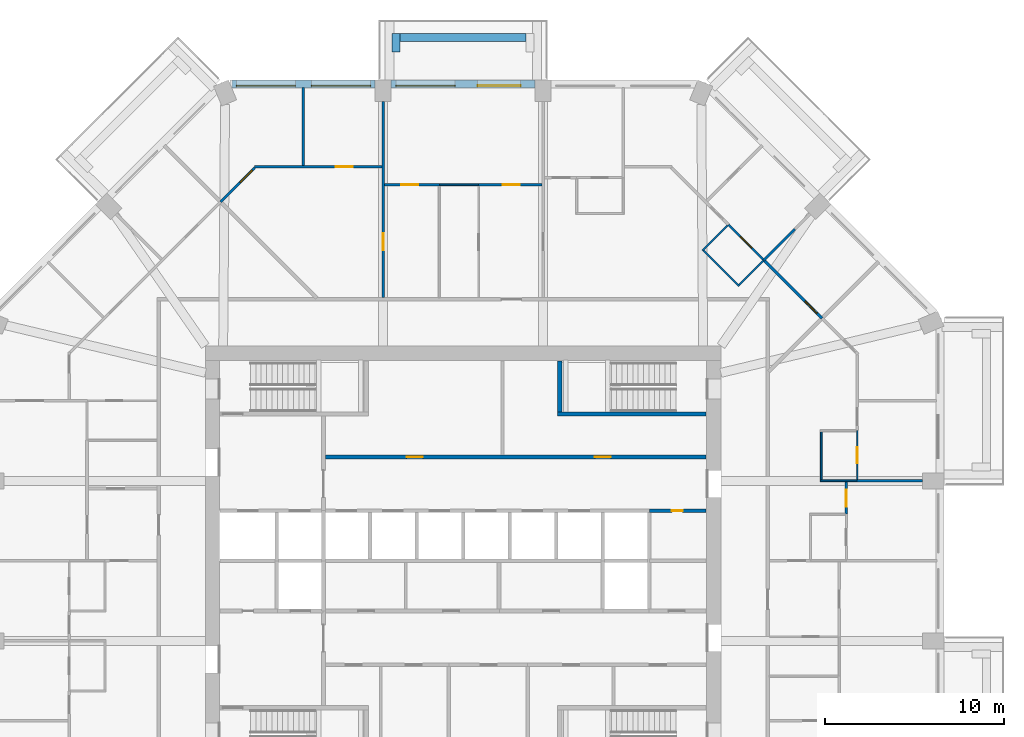
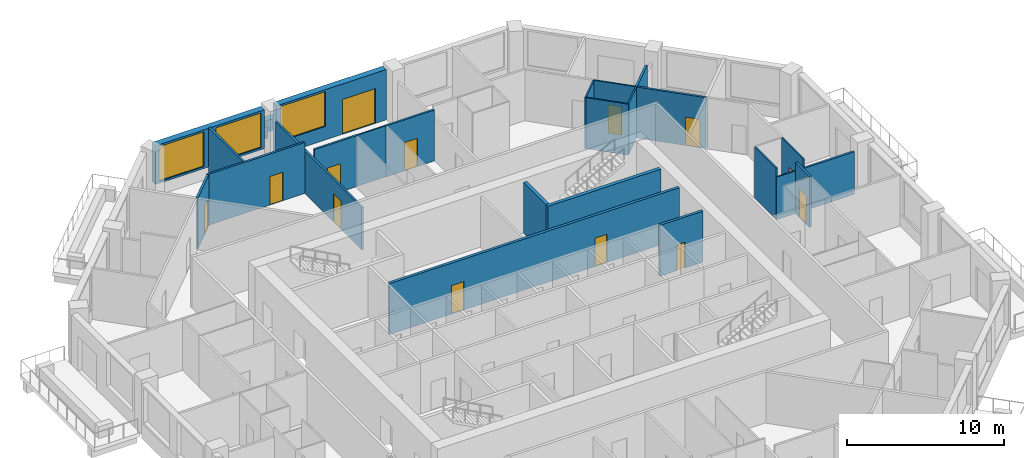
# One storey, part 9 of 13: 26 walls, 13 doors, 3 windows, 16 openings.
"""IFC4 building model written with IfcOpenShell, lengths in metres."""

from ifc_helpers import new_model, si_unit, direction, frame, frame_2d, origin, place, context, subcontext, project, spatial, rectangle, extrude, material, layer, layer_set, type_object, element, fill, save


model = new_model("IFC4")

# Units and contexts
model_context = context("Model", 3, precision=1e-05, world=origin(), true_north=direction((0.0, 1.0)))
body_context = subcontext(model_context, "Body", "Model", "MODEL_VIEW")
ifc_project = project(units=[si_unit("LENGTHUNIT", "METRE"), si_unit("AREAUNIT", "SQUARE_METRE"), si_unit("VOLUMEUNIT", "CUBIC_METRE"), si_unit("PLANEANGLEUNIT", "RADIAN"), si_unit("MASSUNIT", "GRAM", prefix="KILO")], contexts=[model_context])

# Site, building, storey
site_placement = place(None, origin())
site = spatial("IfcSite", under=ifc_project, at=site_placement, CompositionType="ELEMENT")
building_placement = place(site_placement, origin())
building = spatial("IfcBuilding", under=site, at=building_placement, Name="Msitu Wima Residences", CompositionType="ELEMENT")
storey_placement = place(building_placement, frame((0.0, 0.0, 135.89990234375)))
storey = spatial("IfcBuildingStorey", under=building, at=storey_placement, Name="L31", CompositionType="ELEMENT", Elevation=135.89990234375)

# Walls
ifc_material_1 = material(Name="Facing brick")
ifc_layer_1 = layer(ifc_material_1, 0.06494140625, Name="Facing brick")
ifc_material_2 = material(Name="Concrete C40/50", Category="concrete")
ifc_layer_2 = layer(ifc_material_2, 0.156005859375, Name="Concrete C40/50")
ifc_material_3 = material(Name="Waterproofing membrane")
ifc_layer_3 = layer(ifc_material_3, 0.00390625, Name="Waterproofing membrane")
ifc_material_4 = material(Name="Planting soil and planting")
ifc_layer_4 = layer(ifc_material_4, 0.22509765625, Name="Planting soil and planting")
ifc_layer_set_1 = layer_set([ifc_layer_1, ifc_layer_2, ifc_layer_3, ifc_layer_4], Name="Concrete C40/50")
wall_type_1 = type_object("IfcWallType", Name="Balcony planter PLANTER PL450", PredefinedType="USERDEFINED", material=ifc_layer_set_1)
wall_1_placement = place(storey_placement, frame((3.5185546875, 29.22509765625, 0.0), z_axis=(0.0, 0.0, 1.0), x_axis=(-1.0, 0.0, 0.0)))
element("IfcWall", 1, at=wall_1_placement, inside=storey, type_object=wall_type_1, Name="Balcony planter N1 L31", ObjectType="PLANTER", PredefinedType="USERDEFINED", context=body_context, shape_type="SweptSolid", body=[
    extrude(rectangle(XDim=7.037109375, YDim=0.449951171875, at=frame_2d((3.5185546875, 0.0))), origin(), (0.0, 0.0, 1.0), 0.900146484375),
])
wall_2_placement = place(storey_placement, frame((-3.74365234375, 28.39990234375, 0.0), z_axis=(0.0, 0.0, 1.0), x_axis=(0.0, 1.0, 0.0)))
element("IfcWall", 2, at=wall_2_placement, inside=storey, type_object=wall_type_1, Name="Balcony planter N1 L31", ObjectType="PLANTER", PredefinedType="USERDEFINED", context=body_context, shape_type="SweptSolid", body=[
    extrude(rectangle(XDim=1.050048828125, YDim=0.449951171875, at=frame_2d((0.52490234375, 0.0))), origin(), (0.0, 0.0, 1.0), 0.900146484375),
])

# Wall, openings, door, window
ifc_material_5 = material(Name="Brick (red buff mix)", Category="masonry")
ifc_layer_5 = layer(ifc_material_5, 0.449951171875)
ifc_layer_set_2 = layer_set([ifc_layer_5], Name="Brick (red buff mix)")
wall_type_2 = type_object("IfcWallType", Name="Brick infill wall BW450", PredefinedType="SOLIDWALL", material=ifc_layer_set_2)
wall_3_placement = place(storey_placement, frame((4.0185546875, 26.625, 0.0), z_axis=(0.0, 0.0, 1.0), x_axis=(-1.0, 0.0, 0.0)))
wall_3 = element("IfcWall", 3, at=wall_3_placement, inside=storey, type_object=wall_type_2, Name="Brick infill wall L31 N1", PredefinedType="SOLIDWALL", context=body_context, shape_type="SweptSolid", body=[
    extrude(rectangle(XDim=8.037109375, YDim=0.449951171875, at=frame_2d((4.0185546875, 0.0))), origin(), (0.0, 0.0, 1.0), 3.900146484375),
])
opening_1_placement = place(wall_3_placement, frame((0.809326171875, 0.0, 0.0)))
opening_1 = element("IfcOpeningElement", 4, at=opening_1_placement, cuts=wall_3, Name="Opening D30-32.003", PredefinedType="OPENING", context=body_context, shape_type="SweptSolid", body=[
    extrude(rectangle(XDim=2.39990234375, YDim=2.699951171875, at=frame_2d((1.199951171875, 1.35009765625))), frame((0.0, 0.23486328125, 0.0), z_axis=(0.0, -1.0, 0.0), x_axis=(1.0, 0.0, 0.0)), (0.0, 0.0, 1.0), 0.469970703125),
])
opening_2_placement = place(wall_3_placement, frame((4.46875, 0.0, 1.050048828125)))
opening_2 = element("IfcOpeningElement", 5, at=opening_2_placement, cuts=wall_3, Name="Opening W30-32.007", PredefinedType="OPENING", context=body_context, shape_type="SweptSolid", body=[
    extrude(rectangle(XDim=3.300048828125, YDim=2.699951171875, at=frame_2d((1.64990234375, 1.35009765625))), frame((0.0, 0.23486328125, 0.0), z_axis=(0.0, -1.0, 0.0), x_axis=(1.0, 0.0, 0.0)), (0.0, 0.0, 1.0), 0.469970703125),
])
ifc_material_6 = material(Name="Anodised aluminium, bronze finish, clear low-emissivity double glazing", Category="aluminium")
door_type_1 = type_object("IfcDoorType", Name="Balcony door D2400x2700", OperationType="SLIDING_TO_LEFT", PredefinedType="DOOR", material=ifc_material_6)
door_1_placement = place(opening_1_placement, origin())
door_1 = element("IfcDoor", 6, at=door_1_placement, inside=storey, type_object=door_type_1, Name="Balcony door L31 N1", OperationType="SINGLE_SWING_LEFT", OverallHeight=2.699951171875, OverallWidth=2.39990234375, PredefinedType="DOOR", context=body_context, shape_type="SweptSolid", body=[
    extrude(rectangle(XDim=2.39990234375, YDim=2.699951171875, at=frame_2d((1.199951171875, 1.35009765625))), frame((0.0, 0.1298828125, 0.0), z_axis=(0.0, -1.0, 0.0), x_axis=(1.0, 0.0, 0.0)), (0.0, 0.0, 1.0), 0.050048828125),
])
fill(opening_1, door_1)
window_type = type_object("IfcWindowType", Name="Window W3300x2700", PartitioningType="DOUBLE_PANEL_VERTICAL", PredefinedType="WINDOW", material=ifc_material_6)
window_1_placement = place(opening_2_placement, origin())
window_1 = element("IfcWindow", 7, at=window_1_placement, inside=storey, type_object=window_type, Name="Window L31 N1.2", OverallHeight=2.699951171875, OverallWidth=3.300048828125, PartitioningType="SINGLE_PANEL", PredefinedType="WINDOW", context=body_context, shape_type="SweptSolid", body=[
    extrude(rectangle(XDim=3.300048828125, YDim=2.699951171875, at=frame_2d((1.64990234375, 1.35009765625))), frame((0.0, 0.135009765625, 0.0), z_axis=(0.0, -1.0, 0.0), x_axis=(1.0, 0.0, 0.0)), (0.0, 0.0, 1.0), 0.06005859375),
])
fill(opening_2, window_1)

# Wall, openings, windows
wall_4_placement = place(storey_placement, frame((-4.918701171875, 26.625, 0.900146484375), z_axis=(0.0, 0.0, 1.0), x_axis=(-1.0, 0.0, 0.0)))
wall_4 = element("IfcWall", 8, at=wall_4_placement, inside=storey, type_object=wall_type_2, Name="Brick infill wall L31 N2", PredefinedType="SOLIDWALL", context=body_context, shape_type="SweptSolid", body=[
    extrude(rectangle(XDim=8.0, YDim=0.449951171875, at=frame_2d((4.0, 0.0))), origin(), (0.0, 0.0, 1.0), 3.0),
])
opening_3_placement = place(wall_4_placement, frame((0.25, 0.0, 0.14990234375)))
opening_3 = element("IfcOpeningElement", 9, at=opening_3_placement, cuts=wall_4, Name="Opening W30-32.008", PredefinedType="OPENING", context=body_context, shape_type="SweptSolid", body=[
    extrude(rectangle(XDim=3.300048828125, YDim=2.699951171875, at=frame_2d((1.64990234375, 1.35009765625))), frame((0.0, 0.23486328125, 0.0), z_axis=(0.0, -1.0, 0.0), x_axis=(1.0, 0.0, 0.0)), (0.0, 0.0, 1.0), 0.469970703125),
])
opening_4_placement = place(wall_4_placement, frame((4.4501953125, 0.0, 0.14990234375)))
opening_4 = element("IfcOpeningElement", 10, at=opening_4_placement, cuts=wall_4, Name="Opening W30-32.009", PredefinedType="OPENING", context=body_context, shape_type="SweptSolid", body=[
    extrude(rectangle(XDim=3.300048828125, YDim=2.699951171875, at=frame_2d((1.64990234375, 1.35009765625))), frame((0.0, 0.23486328125, 0.0), z_axis=(0.0, -1.0, 0.0), x_axis=(1.0, 0.0, 0.0)), (0.0, 0.0, 1.0), 0.469970703125),
])
window_2_placement = place(opening_3_placement, origin())
window_2 = element("IfcWindow", 11, at=window_2_placement, inside=storey, type_object=window_type, Name="Window L31 N2.1", OverallHeight=2.699951171875, OverallWidth=3.300048828125, PartitioningType="SINGLE_PANEL", PredefinedType="WINDOW", context=body_context, shape_type="SweptSolid", body=[
    extrude(rectangle(XDim=3.300048828125, YDim=2.699951171875, at=frame_2d((1.64990234375, 1.35009765625))), frame((0.0, 0.135009765625, 0.0), z_axis=(0.0, -1.0, 0.0), x_axis=(1.0, 0.0, 0.0)), (0.0, 0.0, 1.0), 0.06005859375),
])
fill(opening_3, window_2)
window_3_placement = place(opening_4_placement, origin())
window_3 = element("IfcWindow", 12, at=window_3_placement, inside=storey, type_object=window_type, Name="Window L31 N2.2", OverallHeight=2.699951171875, OverallWidth=3.300048828125, PartitioningType="SINGLE_PANEL", PredefinedType="WINDOW", context=body_context, shape_type="SweptSolid", body=[
    extrude(rectangle(XDim=3.300048828125, YDim=2.699951171875, at=frame_2d((1.64990234375, 1.35009765625))), frame((0.0, 0.135009765625, 0.0), z_axis=(0.0, -1.0, 0.0), x_axis=(1.0, 0.0, 0.0)), (0.0, 0.0, 1.0), 0.06005859375),
])
fill(opening_4, window_3)

# Wall, openings, doors
ifc_material_7 = material(Name="Plaster")
ifc_layer_6 = layer(ifc_material_7, 0.011962890625, Name="Plaster")
ifc_material_8 = material(Name="Concrete blockwork", Category="masonry")
ifc_layer_7 = layer(ifc_material_8, 0.176025390625, Name="Concrete blockwork")
ifc_layer_8 = layer(ifc_material_7, 0.011962890625, Name="Plaster")
ifc_layer_set_3 = layer_set([ifc_layer_6, ifc_layer_7, ifc_layer_8], Name="Concrete blockwork")
wall_type_3 = type_object("IfcWallType", Name="Corridor wall FW200", PredefinedType="PARTITIONING", material=ifc_layer_set_3)
wall_5_placement = place(storey_placement, frame((-7.699951171875, 5.800048828125, 0.0), z_axis=(0.0, 0.0, 1.0), x_axis=(1.0, 0.0, 0.0)))
wall_5 = element("IfcWall", 13, at=wall_5_placement, inside=storey, type_object=wall_type_3, Name="Corridor wall", PredefinedType="PARTITIONING", context=body_context, shape_type="SweptSolid", body=[
    extrude(rectangle(XDim=21.27001953125, YDim=0.199951171875, at=frame_2d((10.635009765625, 0.0))), origin(), (0.0, 0.0, 1.0), 3.9501953125),
])
opening_5_placement = place(wall_5_placement, frame((4.550048828125, 0.0, 0.0)))
opening_5 = element("IfcOpeningElement", 14, at=opening_5_placement, cuts=wall_5, Name="Opening D30-32.020", PredefinedType="OPENING", context=body_context, shape_type="SweptSolid", body=[
    extrude(rectangle(XDim=0.89990234375, YDim=2.199951171875, at=frame_2d((0.449951171875, 1.10009765625))), frame((0.0, 0.10986328125, 0.0), z_axis=(0.0, -1.0, 0.0), x_axis=(1.0, 0.0, 0.0)), (0.0, 0.0, 1.0), 0.219970703125),
])
opening_6_placement = place(wall_5_placement, frame((15.050048828125, 0.0, 0.0)))
opening_6 = element("IfcOpeningElement", 15, at=opening_6_placement, cuts=wall_5, Name="Opening D30-32.021", PredefinedType="OPENING", context=body_context, shape_type="SweptSolid", body=[
    extrude(rectangle(XDim=0.89990234375, YDim=2.199951171875, at=frame_2d((0.449951171875, 1.10009765625))), frame((0.0, 0.10986328125, 0.0), z_axis=(0.0, -1.0, 0.0), x_axis=(1.0, 0.0, 0.0)), (0.0, 0.0, 1.0), 0.219970703125),
])
ifc_material_9 = material(Name="Timber flush door", Category="wood")
door_type_2 = type_object("IfcDoorType", Name="Service door D05 900x2200", OperationType="SINGLE_SWING_LEFT", PredefinedType="DOOR", material=ifc_material_9)
door_2_placement = place(opening_5_placement, origin())
door_2 = element("IfcDoor", 16, at=door_2_placement, inside=storey, type_object=door_type_2, Name="Service door", OperationType="SINGLE_SWING_LEFT", OverallHeight=2.199951171875, OverallWidth=0.89990234375, PredefinedType="DOOR", context=body_context, shape_type="SweptSolid", body=[
    extrude(rectangle(XDim=0.89990234375, YDim=2.199951171875, at=frame_2d((0.449951171875, 1.10009765625))), frame((0.0, 0.02490234375, 0.0), z_axis=(0.0, -1.0, 0.0), x_axis=(1.0, 0.0, 0.0)), (0.0, 0.0, 1.0), 0.050048828125),
])
fill(opening_5, door_2)
door_3_placement = place(opening_6_placement, origin())
door_3 = element("IfcDoor", 17, at=door_3_placement, inside=storey, type_object=door_type_2, Name="Service door", OperationType="SINGLE_SWING_RIGHT", OverallHeight=2.199951171875, OverallWidth=0.89990234375, PredefinedType="DOOR", context=body_context, shape_type="SweptSolid", body=[
    extrude(rectangle(XDim=0.89990234375, YDim=2.199951171875, at=frame_2d((0.449951171875, 1.10009765625))), frame((0.0, 0.02490234375, 0.0), z_axis=(0.0, -1.0, 0.0), x_axis=(1.0, 0.0, 0.0)), (0.0, 0.0, 1.0), 0.050048828125),
])
fill(opening_6, door_3)

# Wall, opening, door
ifc_layer_9 = layer(ifc_material_7, 0.011962890625, Name="Plaster")
ifc_layer_10 = layer(ifc_material_8, 0.1259765625, Name="Concrete blockwork")
ifc_layer_11 = layer(ifc_material_7, 0.011962890625, Name="Plaster")
ifc_layer_set_4 = layer_set([ifc_layer_9, ifc_layer_10, ifc_layer_11], Name="Concrete blockwork")
wall_type_4 = type_object("IfcWallType", Name="Partition PW150", PredefinedType="PARTITIONING", material=ifc_layer_set_4)
wall_6_placement = place(storey_placement, frame((-13.543212890625, 20.040283203125, 0.0), z_axis=(0.0, 0.0, 1.0), x_axis=(0.707106781187, 0.707106781187, 0.0)))
wall_6 = element("IfcWall", 18, at=wall_6_placement, inside=storey, type_object=wall_type_4, Name="Partition", PredefinedType="PARTITIONING", context=body_context, shape_type="SweptSolid", body=[
    extrude(rectangle(XDim=2.696533203125, YDim=0.14990234375, at=frame_2d((1.34814453125, 0.0))), origin(), (0.0, 0.0, 1.0), 3.9501953125),
])
opening_7_placement = place(wall_6_placement, frame((1.550048828125, 0.0, 0.0)))
opening_7 = element("IfcOpeningElement", 19, at=opening_7_placement, cuts=wall_6, Name="Opening D30-32.044", PredefinedType="OPENING", context=body_context, shape_type="SweptSolid", body=[
    extrude(rectangle(XDim=0.949951171875, YDim=2.199951171875, at=frame_2d((0.47509765625, 1.10009765625))), frame((0.0, 0.0849609375, 0.0), z_axis=(0.0, -1.0, 0.0), x_axis=(1.0, 0.0, 0.0)), (0.0, 0.0, 1.0), 0.169921875),
])
door_type_3 = type_object("IfcDoorType", Name="Room door D12 950x2200", OperationType="SINGLE_SWING_LEFT", PredefinedType="DOOR", material=ifc_material_9)
door_4_placement = place(opening_7_placement, origin())
door_4 = element("IfcDoor", 20, at=door_4_placement, inside=storey, type_object=door_type_3, Name="Room door", OperationType="SINGLE_SWING_LEFT", OverallHeight=2.199951171875, OverallWidth=0.949951171875, PredefinedType="DOOR", context=body_context, shape_type="SweptSolid", body=[
    extrude(rectangle(XDim=0.949951171875, YDim=2.199951171875, at=frame_2d((0.47509765625, 1.10009765625))), frame((0.0, 0.02490234375, 0.0), z_axis=(0.0, -1.0, 0.0), x_axis=(1.0, 0.0, 0.0)), (0.0, 0.0, 1.0), 0.050048828125),
])
fill(opening_7, door_4)

wall_7_placement = place(storey_placement, frame((-11.658447265625, 22.0, 0.0), z_axis=(0.0, 0.0, 1.0), x_axis=(1.0, 0.0, 0.0)))
wall_7 = element("IfcWall", 21, at=wall_7_placement, inside=storey, type_object=wall_type_4, Name="Partition", PredefinedType="PARTITIONING", context=body_context, shape_type="SweptSolid", body=[
    extrude(rectangle(XDim=7.11474609375, YDim=0.14990234375, at=frame_2d((3.557373046875, 0.0))), origin(), (0.0, 0.0, 1.0), 3.9501953125),
])
opening_8_placement = place(wall_7_placement, frame((4.550048828125, 0.0, 0.0)))
opening_8 = element("IfcOpeningElement", 22, at=opening_8_placement, cuts=wall_7, Name="Opening D30-32.043", PredefinedType="OPENING", context=body_context, shape_type="SweptSolid", body=[
    extrude(rectangle(XDim=0.949951171875, YDim=2.199951171875, at=frame_2d((0.47509765625, 1.10009765625))), frame((0.0, 0.0849609375, 0.0), z_axis=(0.0, -1.0, 0.0), x_axis=(1.0, 0.0, 0.0)), (0.0, 0.0, 1.0), 0.169921875),
])
door_5_placement = place(opening_8_placement, origin())
door_5 = element("IfcDoor", 23, at=door_5_placement, inside=storey, type_object=door_type_3, Name="Room door", OperationType="SINGLE_SWING_RIGHT", OverallHeight=2.199951171875, OverallWidth=0.949951171875, PredefinedType="DOOR", context=body_context, shape_type="SweptSolid", body=[
    extrude(rectangle(XDim=0.949951171875, YDim=2.199951171875, at=frame_2d((0.47509765625, 1.10009765625))), frame((0.0, 0.02490234375, 0.0), z_axis=(0.0, -1.0, 0.0), x_axis=(1.0, 0.0, 0.0)), (0.0, 0.0, 1.0), 0.050048828125),
])
fill(opening_8, door_5)

# Wall
wall_8_placement = place(storey_placement, frame((-8.937255859375, 22.074951171875, 0.0), z_axis=(0.0, 0.0, 1.0), x_axis=(0.0, 1.0, 0.0)))
element("IfcWall", 24, at=wall_8_placement, inside=storey, type_object=wall_type_4, Name="Partition", PredefinedType="PARTITIONING", context=body_context, shape_type="SweptSolid", body=[
    extrude(rectangle(XDim=4.35009765625, YDim=0.14990234375, at=frame_2d((2.175048828125, 0.0))), origin(), (0.0, 0.0, 1.0), 3.9501953125),
])

# Wall, opening, door
wall_9_placement = place(storey_placement, frame((-4.46875, 14.699951171875, 0.0), z_axis=(0.0, 0.0, 1.0), x_axis=(0.0, 1.0, 0.0)))
wall_9 = element("IfcWall", 25, at=wall_9_placement, inside=storey, type_object=wall_type_4, Name="Partition", PredefinedType="PARTITIONING", context=body_context, shape_type="SweptSolid", body=[
    extrude(rectangle(XDim=10.949951171875, YDim=0.14990234375, at=frame_2d((5.47509765625, 0.0))), origin(), (0.0, 0.0, 1.0), 3.300048828125),
])
opening_9_placement = place(wall_9_placement, frame((2.64990234375, 0.0, 0.0)))
opening_9 = element("IfcOpeningElement", 26, at=opening_9_placement, cuts=wall_9, Name="Opening D30-32.042", PredefinedType="OPENING", context=body_context, shape_type="SweptSolid", body=[
    extrude(rectangle(XDim=0.949951171875, YDim=2.199951171875, at=frame_2d((0.47509765625, 1.10009765625))), frame((0.0, 0.0849609375, 0.0), z_axis=(0.0, -1.0, 0.0), x_axis=(1.0, 0.0, 0.0)), (0.0, 0.0, 1.0), 0.169921875),
])
door_6_placement = place(opening_9_placement, origin())
door_6 = element("IfcDoor", 27, at=door_6_placement, inside=storey, type_object=door_type_3, Name="Room door", OperationType="SINGLE_SWING_LEFT", OverallHeight=2.199951171875, OverallWidth=0.949951171875, PredefinedType="DOOR", context=body_context, shape_type="SweptSolid", body=[
    extrude(rectangle(XDim=0.949951171875, YDim=2.199951171875, at=frame_2d((0.47509765625, 1.10009765625))), frame((0.0, 0.02490234375, 0.0), z_axis=(0.0, -1.0, 0.0), x_axis=(1.0, 0.0, 0.0)), (0.0, 0.0, 1.0), 0.050048828125),
])
fill(opening_9, door_6)

wall_10_placement = place(storey_placement, frame((-4.3935546875, 21.0, 0.0), z_axis=(0.0, 0.0, 1.0), x_axis=(1.0, 0.0, 0.0)))
wall_10 = element("IfcWall", 28, at=wall_10_placement, inside=storey, type_object=wall_type_4, Name="Partition", PredefinedType="PARTITIONING", context=body_context, shape_type="SweptSolid", body=[
    extrude(rectangle(XDim=3.082275390625, YDim=0.14990234375, at=frame_2d((1.541015625, 0.0))), origin(), (0.0, 0.0, 1.0), 3.9501953125),
])
opening_10_placement = place(wall_10_placement, frame((0.949951171875, 0.0, 0.0)))
opening_10 = element("IfcOpeningElement", 29, at=opening_10_placement, cuts=wall_10, Name="Opening D30-32.041", PredefinedType="OPENING", context=body_context, shape_type="SweptSolid", body=[
    extrude(rectangle(XDim=0.949951171875, YDim=2.199951171875, at=frame_2d((0.47509765625, 1.10009765625))), frame((0.0, 0.0849609375, 0.0), z_axis=(0.0, -1.0, 0.0), x_axis=(1.0, 0.0, 0.0)), (0.0, 0.0, 1.0), 0.169921875),
])
door_7_placement = place(opening_10_placement, origin())
door_7 = element("IfcDoor", 30, at=door_7_placement, inside=storey, type_object=door_type_3, Name="Room door", OperationType="SINGLE_SWING_LEFT", OverallHeight=2.199951171875, OverallWidth=0.949951171875, PredefinedType="DOOR", context=body_context, shape_type="SweptSolid", body=[
    extrude(rectangle(XDim=0.949951171875, YDim=2.199951171875, at=frame_2d((0.47509765625, 1.10009765625))), frame((0.0, 0.02490234375, 0.0), z_axis=(0.0, -1.0, 0.0), x_axis=(1.0, 0.0, 0.0)), (0.0, 0.0, 1.0), 0.050048828125),
])
fill(opening_10, door_7)

wall_11_placement = place(storey_placement, frame((0.8486328125, 21.0, 0.0), z_axis=(0.0, 0.0, 1.0), x_axis=(1.0, 0.0, 0.0)))
wall_11 = element("IfcWall", 31, at=wall_11_placement, inside=storey, type_object=wall_type_4, Name="Partition", PredefinedType="PARTITIONING", context=body_context, shape_type="SweptSolid", body=[
    extrude(rectangle(XDim=3.544921875, YDim=0.14990234375, at=frame_2d((1.7724609375, 0.0))), origin(), (0.0, 0.0, 1.0), 3.9501953125),
])
opening_11_placement = place(wall_11_placement, frame((1.35009765625, 0.0, 0.0)))
opening_11 = element("IfcOpeningElement", 32, at=opening_11_placement, cuts=wall_11, Name="Opening D30-32.073", PredefinedType="OPENING", context=body_context, shape_type="SweptSolid", body=[
    extrude(rectangle(XDim=0.949951171875, YDim=2.199951171875, at=frame_2d((0.47509765625, 1.10009765625))), frame((0.0, 0.0849609375, 0.0), z_axis=(0.0, -1.0, 0.0), x_axis=(1.0, 0.0, 0.0)), (0.0, 0.0, 1.0), 0.169921875),
])
door_8_placement = place(opening_11_placement, origin())
door_8 = element("IfcDoor", 33, at=door_8_placement, inside=storey, type_object=door_type_3, Name="Room door", OperationType="SINGLE_SWING_RIGHT", OverallHeight=2.199951171875, OverallWidth=0.949951171875, PredefinedType="DOOR", context=body_context, shape_type="SweptSolid", body=[
    extrude(rectangle(XDim=0.949951171875, YDim=2.199951171875, at=frame_2d((0.47509765625, 1.10009765625))), frame((0.0, 0.02490234375, 0.0), z_axis=(0.0, -1.0, 0.0), x_axis=(1.0, 0.0, 0.0)), (0.0, 0.0, 1.0), 0.050048828125),
])
fill(opening_11, door_8)

# Wall
wall_12_placement = place(storey_placement, frame((16.777587890625, 16.777587890625, 0.0), z_axis=(0.0, 0.0, 1.0), x_axis=(0.707106781187, 0.707106781187, 0.0)))
element("IfcWall", 34, at=wall_12_placement, inside=storey, type_object=wall_type_4, Name="Partition", PredefinedType="PARTITIONING", context=body_context, shape_type="SweptSolid", body=[
    extrude(rectangle(XDim=2.460693359375, YDim=0.14990234375, at=frame_2d((1.23046875, 0.0))), origin(), (0.0, 0.0, 1.0), 3.9501953125),
])

# Wall, opening, door
wall_13_placement = place(storey_placement, frame((16.791748046875, 16.791748046875, 0.0), z_axis=(0.0, 0.0, 1.0), x_axis=(0.707106781187, -0.707106781187, 0.0)))
wall_13 = element("IfcWall", 35, at=wall_13_placement, inside=storey, type_object=wall_type_4, Name="Partition", PredefinedType="PARTITIONING", context=body_context, shape_type="SweptSolid", body=[
    extrude(rectangle(XDim=4.59423828125, YDim=0.14990234375, at=frame_2d((2.297119140625, 0.0))), origin(), (0.0, 0.0, 1.0), 3.9501953125),
])
opening_12_placement = place(wall_13_placement, frame((3.25, 0.0, 0.0)))
opening_12 = element("IfcOpeningElement", 36, at=opening_12_placement, cuts=wall_13, Name="Opening D30-32.062", PredefinedType="OPENING", context=body_context, shape_type="SweptSolid", body=[
    extrude(rectangle(XDim=0.949951171875, YDim=2.199951171875, at=frame_2d((0.47509765625, 1.10009765625))), frame((0.0, 0.0849609375, 0.0), z_axis=(0.0, -1.0, 0.0), x_axis=(1.0, 0.0, 0.0)), (0.0, 0.0, 1.0), 0.169921875),
])
door_9_placement = place(opening_12_placement, origin())
door_9 = element("IfcDoor", 37, at=door_9_placement, inside=storey, type_object=door_type_3, Name="Room door", OperationType="SINGLE_SWING_RIGHT", OverallHeight=2.199951171875, OverallWidth=0.949951171875, PredefinedType="DOOR", context=body_context, shape_type="SweptSolid", body=[
    extrude(rectangle(XDim=0.949951171875, YDim=2.199951171875, at=frame_2d((0.47509765625, 1.10009765625))), frame((0.0, 0.02490234375, 0.0), z_axis=(0.0, -1.0, 0.0), x_axis=(1.0, 0.0, 0.0)), (0.0, 0.0, 1.0), 0.050048828125),
])
fill(opening_12, door_9)

wall_14_placement = place(storey_placement, frame((21.39990234375, 2.6201171875, 0.0), z_axis=(0.0, 0.0, 1.0), x_axis=(0.0, 1.0, 0.0)))
wall_14 = element("IfcWall", 38, at=wall_14_placement, inside=storey, type_object=wall_type_4, Name="Partition", PredefinedType="PARTITIONING", context=body_context, shape_type="SweptSolid", body=[
    extrude(rectangle(XDim=1.798583984375, YDim=0.14990234375, at=frame_2d((0.8994140625, 0.0))), origin(), (0.0, 0.0, 1.0), 3.9501953125),
])
opening_13_placement = place(wall_14_placement, frame((0.39990234375, 0.0, 0.0)))
opening_13 = element("IfcOpeningElement", 39, at=opening_13_placement, cuts=wall_14, Name="Opening D30-32.079", PredefinedType="OPENING", context=body_context, shape_type="SweptSolid", body=[
    extrude(rectangle(XDim=0.949951171875, YDim=2.199951171875, at=frame_2d((0.47509765625, 1.10009765625))), frame((0.0, 0.0849609375, 0.0), z_axis=(0.0, -1.0, 0.0), x_axis=(1.0, 0.0, 0.0)), (0.0, 0.0, 1.0), 0.169921875),
])
door_10_placement = place(opening_13_placement, origin())
door_10 = element("IfcDoor", 40, at=door_10_placement, inside=storey, type_object=door_type_3, Name="Room door", OperationType="SINGLE_SWING_LEFT", OverallHeight=2.199951171875, OverallWidth=0.949951171875, PredefinedType="DOOR", context=body_context, shape_type="SweptSolid", body=[
    extrude(rectangle(XDim=0.949951171875, YDim=2.199951171875, at=frame_2d((0.47509765625, 1.10009765625))), frame((0.0, 0.02490234375, 0.0), z_axis=(0.0, -1.0, 0.0), x_axis=(1.0, 0.0, 0.0)), (0.0, 0.0, 1.0), 0.050048828125),
])
fill(opening_13, door_10)

# Wall
wall_15_placement = place(storey_placement, frame((21.97998046875, 4.46875, 0.0), z_axis=(0.0, 0.0, 1.0), x_axis=(1.0, 0.0, 0.0)))
element("IfcWall", 41, at=wall_15_placement, inside=storey, type_object=wall_type_4, Name="Partition", PredefinedType="PARTITIONING", context=body_context, shape_type="SweptSolid", body=[
    extrude(rectangle(XDim=3.669921875, YDim=0.14990234375, at=frame_2d((1.8349609375, 0.0))), origin(), (0.0, 0.0, 1.0), 3.300048828125),
])

# Wall, opening, door
ifc_layer_12 = layer(ifc_material_7, 0.011962890625, Name="Plaster")
ifc_material_10 = material(Name="Reinforced concrete blockwork", Category="masonry")
ifc_layer_13 = layer(ifc_material_10, 0.176025390625, Name="Reinforced concrete blockwork")
ifc_layer_14 = layer(ifc_material_7, 0.011962890625, Name="Plaster")
ifc_layer_set_5 = layer_set([ifc_layer_12, ifc_layer_13, ifc_layer_14], Name="Reinforced concrete blockwork")
wall_type_5 = type_object("IfcWallType", Name="Plant and riser wall PL200", PredefinedType="PARTITIONING", material=ifc_layer_set_5)
wall_16_placement = place(storey_placement, frame((10.39990234375, 2.800048828125, 0.0), z_axis=(0.0, 0.0, 1.0), x_axis=(1.0, 0.0, 0.0)))
wall_16 = element("IfcWall", 42, at=wall_16_placement, inside=storey, type_object=wall_type_5, Name="Plant and riser wall", PredefinedType="PARTITIONING", context=body_context, shape_type="SweptSolid", body=[
    extrude(rectangle(XDim=3.170166015625, YDim=0.199951171875, at=frame_2d((1.5849609375, 0.0))), origin(), (0.0, 0.0, 1.0), 3.9501953125),
])
opening_14_placement = place(wall_16_placement, frame((1.25, 0.0, 0.0)))
opening_14 = element("IfcOpeningElement", 43, at=opening_14_placement, cuts=wall_16, Name="Opening D30-32.029", PredefinedType="OPENING", context=body_context, shape_type="SweptSolid", body=[
    extrude(rectangle(XDim=0.60009765625, YDim=2.0, at=frame_2d((0.300048828125, 1.0))), frame((0.0, 0.10986328125, 0.0), z_axis=(0.0, -1.0, 0.0), x_axis=(1.0, 0.0, 0.0)), (0.0, 0.0, 1.0), 0.219970703125),
])
ifc_material_11 = material(Name="Steel access door, fire resisting", Category="steel")
door_type_4 = type_object("IfcDoorType", Name="Riser access door D08 600x2000", OperationType="SINGLE_SWING_LEFT", PredefinedType="DOOR", material=ifc_material_11)
door_11_placement = place(opening_14_placement, origin())
door_11 = element("IfcDoor", 44, at=door_11_placement, inside=storey, type_object=door_type_4, Name="Riser access door", OperationType="SINGLE_SWING_RIGHT", OverallHeight=2.0, OverallWidth=0.60009765625, PredefinedType="DOOR", context=body_context, shape_type="SweptSolid", body=[
    extrude(rectangle(XDim=0.60009765625, YDim=2.0, at=frame_2d((0.300048828125, 1.0))), frame((0.0, 0.02490234375, 0.0), z_axis=(0.0, -1.0, 0.0), x_axis=(1.0, 0.0, 0.0)), (0.0, 0.0, 1.0), 0.050048828125),
])
fill(opening_14, door_11)

# Walls
ifc_material_12 = material(Name="Concrete C50/60", Category="concrete")
ifc_layer_15 = layer(ifc_material_12, 0.25)
ifc_layer_set_6 = layer_set([ifc_layer_15], Name="Concrete C50/60")
wall_type_6 = type_object("IfcWallType", Name="Stair enclosure wall SW250", PredefinedType="SHEAR", material=ifc_layer_set_6)
wall_17_placement = place(storey_placement, frame((5.39990234375, 8.324951171875, 0.0), z_axis=(0.0, 0.0, 1.0), x_axis=(0.0, 1.0, 0.0)))
element("IfcWall", 45, at=wall_17_placement, inside=storey, type_object=wall_type_6, Name="Stair enclosure wall", PredefinedType="SHEAR", context=body_context, shape_type="SweptSolid", body=[
    extrude(rectangle(XDim=2.844970703125, YDim=0.25, at=frame_2d((1.42236328125, 0.0))), origin(), (0.0, 0.0, 1.0), 3.9501953125),
])
wall_18_placement = place(storey_placement, frame((5.27490234375, 8.199951171875, 0.0), z_axis=(0.0, 0.0, 1.0), x_axis=(1.0, 0.0, 0.0)))
element("IfcWall", 46, at=wall_18_placement, inside=storey, type_object=wall_type_6, Name="Stair enclosure wall", PredefinedType="SHEAR", context=body_context, shape_type="SweptSolid", body=[
    extrude(rectangle(XDim=8.295166015625, YDim=0.25, at=frame_2d((4.1474609375, 0.0))), origin(), (0.0, 0.0, 1.0), 3.9501953125),
])
ifc_material_13 = material(Name="Ceramic tiles")
ifc_layer_16 = layer(ifc_material_13, 0.008056640625, Name="Ceramic tiles")
ifc_material_14 = material(Name="Moisture-resistant board")
ifc_layer_17 = layer(ifc_material_14, 0.012451171875, Name="Moisture-resistant board")
ifc_material_15 = material(Name="Light-gauge stud framing with mineral wool")
ifc_layer_18 = layer(ifc_material_15, 0.06689453125, Name="Light-gauge stud framing with mineral wool")
ifc_layer_19 = layer(ifc_material_14, 0.012451171875, Name="Moisture-resistant board")
ifc_layer_set_7 = layer_set([ifc_layer_16, ifc_layer_17, ifc_layer_18, ifc_layer_19], Name="Light-gauge stud framing with mineral wool")
wall_type_7 = type_object("IfcWallType", Name="Wet wall PW100", PredefinedType="PARTITIONING", material=ifc_layer_set_7)
wall_19_placement = place(storey_placement, frame((-1.311279296875, 21.0, 0.0), z_axis=(0.0, 0.0, 1.0), x_axis=(1.0, 0.0, 0.0)))
element("IfcWall", 47, at=wall_19_placement, inside=storey, type_object=wall_type_7, Name="Wet wall", PredefinedType="PARTITIONING", context=body_context, shape_type="SweptSolid", body=[
    extrude(rectangle(XDim=2.159912109375, YDim=0.10009765625, at=frame_2d((1.080078125, 0.0))), origin(), (0.0, 0.0, 1.0), 3.9501953125),
])
wall_20_placement = place(storey_placement, frame((13.3623046875, 17.322021484375, 0.0), z_axis=(0.0, 0.0, 1.0), x_axis=(0.707045742145, 0.70716781496, 0.0)))
element("IfcWall", 48, at=wall_20_placement, inside=storey, type_object=wall_type_7, Name="Wet wall", PredefinedType="PARTITIONING", context=body_context, shape_type="SweptSolid", body=[
    extrude(rectangle(XDim=2.0, YDim=0.10009765625, at=frame_2d((1.0, 0.0))), origin(), (0.0, 0.0, 1.0), 3.9501953125),
])
wall_21_placement = place(storey_placement, frame((13.432861328125, 17.322021484375, 0.0), z_axis=(0.0, 0.0, 1.0), x_axis=(0.707106781187, -0.707106781187, 0.0)))
element("IfcWall", 49, at=wall_21_placement, inside=storey, type_object=wall_type_7, Name="Wet wall", PredefinedType="PARTITIONING", context=body_context, shape_type="SweptSolid", body=[
    extrude(rectangle(XDim=2.800048828125, YDim=0.10009765625, at=frame_2d((1.39990234375, 0.0))), origin(), (0.0, 0.0, 1.0), 3.9501953125),
])

# Wall, opening, door
wall_22_placement = place(storey_placement, frame((14.811767578125, 18.771484375, 0.0), z_axis=(0.0, 0.0, 1.0), x_axis=(0.707150377276, -0.707063182409, 0.0)))
wall_22 = element("IfcWall", 50, at=wall_22_placement, inside=storey, type_object=wall_type_7, Name="Wet wall", PredefinedType="PARTITIONING", context=body_context, shape_type="SweptSolid", body=[
    extrude(rectangle(XDim=2.800048828125, YDim=0.10009765625, at=frame_2d((1.39990234375, 0.0))), origin(), (0.0, 0.0, 1.0), 3.9501953125),
])
opening_15_placement = place(wall_22_placement, frame((0.949951171875, 0.0, 0.0)))
opening_15 = element("IfcOpeningElement", 51, at=opening_15_placement, cuts=wall_22, Name="Opening D30-32.089", PredefinedType="OPENING", context=body_context, shape_type="SweptSolid", body=[
    extrude(rectangle(XDim=0.89990234375, YDim=2.199951171875, at=frame_2d((0.449951171875, 1.10009765625))), frame((0.0, 0.06005859375, 0.0), z_axis=(0.0, -1.0, 0.0), x_axis=(1.0, 0.0, 0.0)), (0.0, 0.0, 1.0), 0.1201171875),
])
ifc_material_16 = material(Name="Timber flush door, moisture resistant", Category="wood")
door_type_5 = type_object("IfcDoorType", Name="Bathroom door D03 900x2200", OperationType="SINGLE_SWING_LEFT", PredefinedType="DOOR", material=ifc_material_16)
door_12_placement = place(opening_15_placement, origin())
door_12 = element("IfcDoor", 52, at=door_12_placement, inside=storey, type_object=door_type_5, Name="Bathroom door", OperationType="SINGLE_SWING_LEFT", OverallHeight=2.199951171875, OverallWidth=0.89990234375, PredefinedType="DOOR", context=body_context, shape_type="SweptSolid", body=[
    extrude(rectangle(XDim=0.89990234375, YDim=2.199951171875, at=frame_2d((0.449951171875, 1.10009765625))), frame((0.0, 0.02490234375, 0.0), z_axis=(0.0, -1.0, 0.0), x_axis=(1.0, 0.0, 0.0)), (0.0, 0.0, 1.0), 0.050048828125),
])
fill(opening_15, door_12)

# Walls
wall_23_placement = place(storey_placement, frame((15.412841796875, 15.412841796875, 0.0), z_axis=(0.0, 0.0, 1.0), x_axis=(0.707106781187, 0.707106781187, 0.0)))
element("IfcWall", 53, at=wall_23_placement, inside=storey, type_object=wall_type_7, Name="Wet wall", PredefinedType="PARTITIONING", context=body_context, shape_type="SweptSolid", body=[
    extrude(rectangle(XDim=1.929931640625, YDim=0.10009765625, at=frame_2d((0.96484375, 0.0))), origin(), (0.0, 0.0, 1.0), 3.9501953125),
])
wall_24_placement = place(storey_placement, frame((20.0, 4.5185546875, 0.0), z_axis=(0.0, 0.0, 1.0), x_axis=(0.0, 1.0, 0.0)))
element("IfcWall", 54, at=wall_24_placement, inside=storey, type_object=wall_type_7, Name="Wet wall", PredefinedType="PARTITIONING", context=body_context, shape_type="SweptSolid", body=[
    extrude(rectangle(XDim=2.7001953125, YDim=0.10009765625, at=frame_2d((1.35009765625, 0.0))), origin(), (0.0, 0.0, 1.0), 3.9501953125),
])
wall_25_placement = place(storey_placement, frame((19.949951171875, 4.46875, 0.0), z_axis=(0.0, 0.0, 1.0), x_axis=(1.0, 0.0, 0.0)))
element("IfcWall", 55, at=wall_25_placement, inside=storey, type_object=wall_type_7, Name="Wet wall", PredefinedType="PARTITIONING", context=body_context, shape_type="SweptSolid", body=[
    extrude(rectangle(XDim=2.030029296875, YDim=0.10009765625, at=frame_2d((1.01513671875, 0.0))), origin(), (0.0, 0.0, 1.0), 3.300048828125),
])

# Wall, opening, door
wall_26_placement = place(storey_placement, frame((22.0, 4.543701171875, 0.0), z_axis=(0.0, 0.0, 1.0), x_axis=(0.0, 1.0, 0.0)))
wall_26 = element("IfcWall", 56, at=wall_26_placement, inside=storey, type_object=wall_type_7, Name="Wet wall", PredefinedType="PARTITIONING", context=body_context, shape_type="SweptSolid", body=[
    extrude(rectangle(XDim=2.724853515625, YDim=0.10009765625, at=frame_2d((1.3623046875, 0.0))), origin(), (0.0, 0.0, 1.0), 3.9501953125),
])
opening_16_placement = place(wall_26_placement, frame((0.89990234375, 0.0, 0.0)))
opening_16 = element("IfcOpeningElement", 57, at=opening_16_placement, cuts=wall_26, Name="Opening D30-32.078", PredefinedType="OPENING", context=body_context, shape_type="SweptSolid", body=[
    extrude(rectangle(XDim=0.89990234375, YDim=2.199951171875, at=frame_2d((0.449951171875, 1.10009765625))), frame((0.0, 0.06005859375, 0.0), z_axis=(0.0, -1.0, 0.0), x_axis=(1.0, 0.0, 0.0)), (0.0, 0.0, 1.0), 0.1201171875),
])
door_13_placement = place(opening_16_placement, origin())
door_13 = element("IfcDoor", 58, at=door_13_placement, inside=storey, type_object=door_type_5, Name="Bathroom door", OperationType="SINGLE_SWING_RIGHT", OverallHeight=2.199951171875, OverallWidth=0.89990234375, PredefinedType="DOOR", context=body_context, shape_type="SweptSolid", body=[
    extrude(rectangle(XDim=0.89990234375, YDim=2.199951171875, at=frame_2d((0.449951171875, 1.10009765625))), frame((0.0, 0.02490234375, 0.0), z_axis=(0.0, -1.0, 0.0), x_axis=(1.0, 0.0, 0.0)), (0.0, 0.0, 1.0), 0.050048828125),
])
fill(opening_16, door_13)

save(model, "model.ifc")
